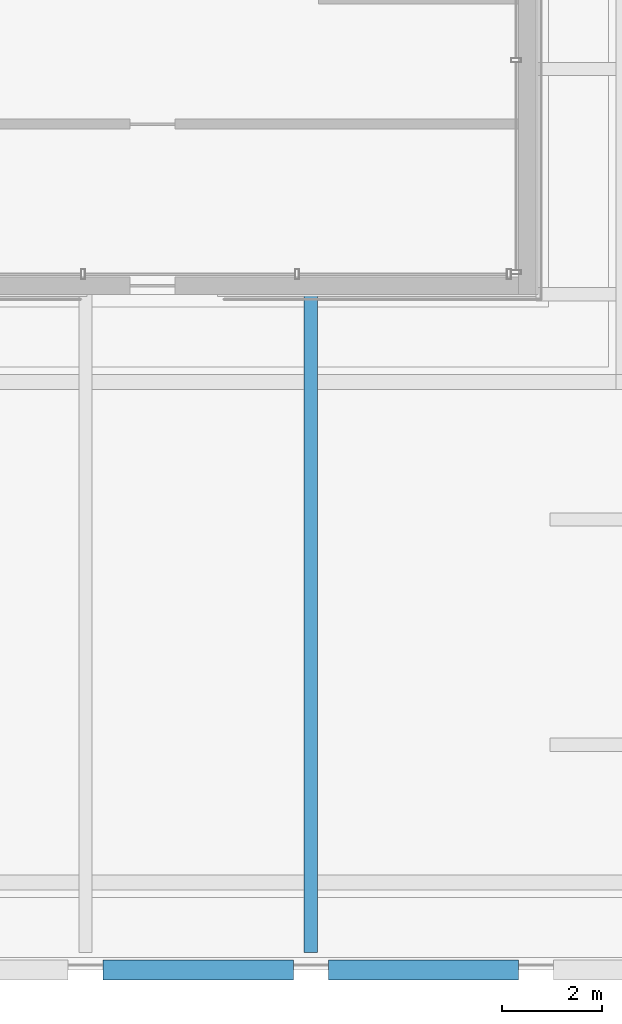
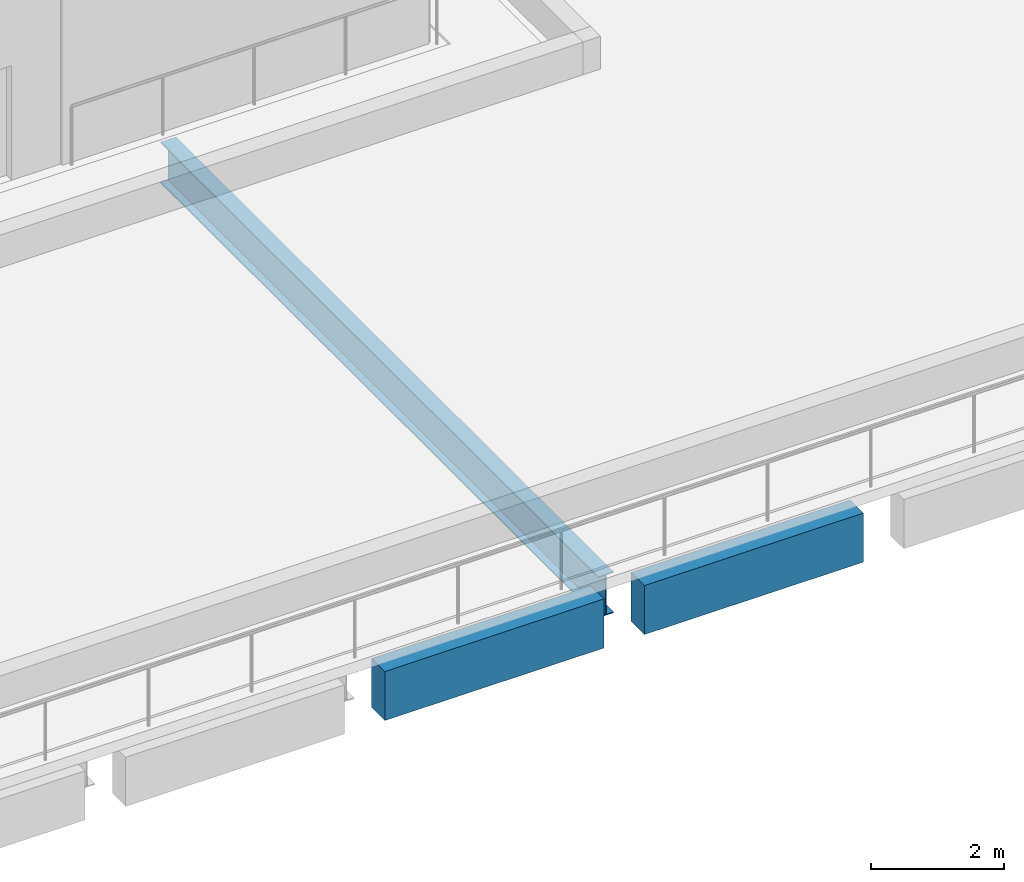
# One storey, part 3 of 11: 3 beams.
"""IFC4 building model written with IfcOpenShell, lengths in metres."""

from ifc_helpers import new_model, si_unit, direction, frame, origin, origin_2d, place, context, subcontext, project, spatial, rectangle, i_section, extrude, material, material_profile, profile_set, type_object, element, save


model = new_model("IFC4")

# Units and contexts
model_context = context("Model", 3, precision=1e-05, world=origin(), true_north=direction((0.0, 1.0)))
body_context = subcontext(model_context, "Body", "Model", "MODEL_VIEW")
ifc_project = project(units=[si_unit("LENGTHUNIT", "METRE"), si_unit("AREAUNIT", "SQUARE_METRE"), si_unit("VOLUMEUNIT", "CUBIC_METRE"), si_unit("PLANEANGLEUNIT", "RADIAN"), si_unit("MASSUNIT", "GRAM", prefix="KILO")], contexts=[model_context])

# Site, building, storey
site_placement = place(None, origin())
site = spatial("IfcSite", under=ifc_project, at=site_placement, CompositionType="ELEMENT")
building_placement = place(site_placement, origin())
building = spatial("IfcBuilding", under=site, at=building_placement, Name="Altepetl Exchange Towers", CompositionType="ELEMENT")
storey_placement = place(building_placement, frame((0.0, 0.0, 274.60009765625)))
storey = spatial("IfcBuildingStorey", under=building, at=storey_placement, Name="L69 Crown plant", CompositionType="ELEMENT", Elevation=274.60009765625)

# Beams
ifc_material_1 = material(Name="Steel S355", Category="steel")
ifc_material_profile_1 = material_profile(ifc_material_1, i_section(OverallWidth=0.26611328125, OverallDepth=0.758056640625, WebThickness=0.013916015625, FlangeThickness=0.019287109375, at=origin_2d()), Name="W30X108")
ifc_profile_set_1 = profile_set([ifc_material_profile_1], Name="Steel S355")
beam_type_1 = type_object("IfcBeamType", Name="Floor beam W30X108", PredefinedType="BEAM", material=ifc_profile_set_1)
beam_placement = place(storey_placement, frame((54.0, 27.35009765625, -0.5791015625), z_axis=(0.0, 1.0, 0.0), x_axis=(-1.0, 0.0, 0.0)))
element("IfcBeam", 1, at=beam_placement, inside=storey, type_object=beam_type_1, Name="bm:A:L69:t011", PredefinedType="BEAM", context=body_context, shape_type="SweptSolid", body=[
    extrude(i_section(OverallWidth=0.26611328125, OverallDepth=0.758056640625, WebThickness=0.013916015625, FlangeThickness=0.019287109375, at=origin_2d()), origin(), (0.0, 0.0, 1.0), 13.14990234375),
])
ifc_material_2 = material(Name="Concrete C50/60 precast with cantera blanca facing", Category="concrete")
ifc_material_profile_2 = material_profile(ifc_material_2, rectangle(XDim=0.39990234375, YDim=0.89990234375, at=origin_2d()), Name="400 x 900")
ifc_profile_set_2 = profile_set([ifc_material_profile_2], Name="Concrete C50/60 precast with cantera blanca facing")
beam_type_2 = type_object("IfcBeamType", Name="Spandrel beam 400x900 cantera blanca", PredefinedType="SPANDREL", material=ifc_profile_set_2)
for number, where, z_axis, x_axis, name in (
    (2, (49.85009765625, 27.0, -0.650146484375), (1.0, 0.0, 0.0), (0.0, 1.0, 0.0), "sp:A:L69:t004"),
    (3, (54.35009765625, 27.0, -0.650146484375), (1.0, 0.0, 0.0), (0.0, 1.0, 0.0), "sp:A:L69:t005"),
):
    element("IfcBeam", number, at=place(storey_placement, frame(where, z_axis=z_axis, x_axis=x_axis)), inside=storey, type_object=beam_type_2, Name=name, PredefinedType="SPANDREL", context=body_context, shape_type="SweptSolid", body=[
        extrude(rectangle(XDim=0.39990234375, YDim=0.89990234375, at=origin_2d()), origin(), (0.0, 0.0, 1.0), 3.7998046875),
    ])

save(model, "model.ifc")
